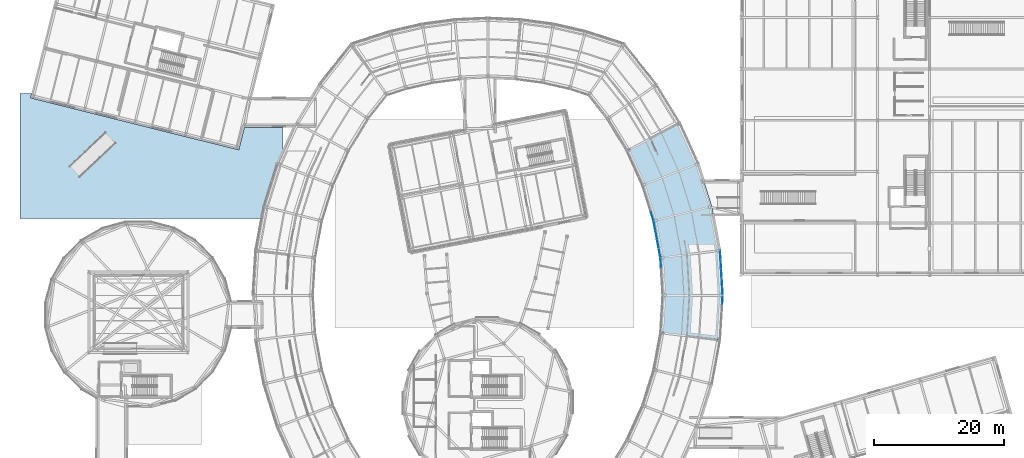
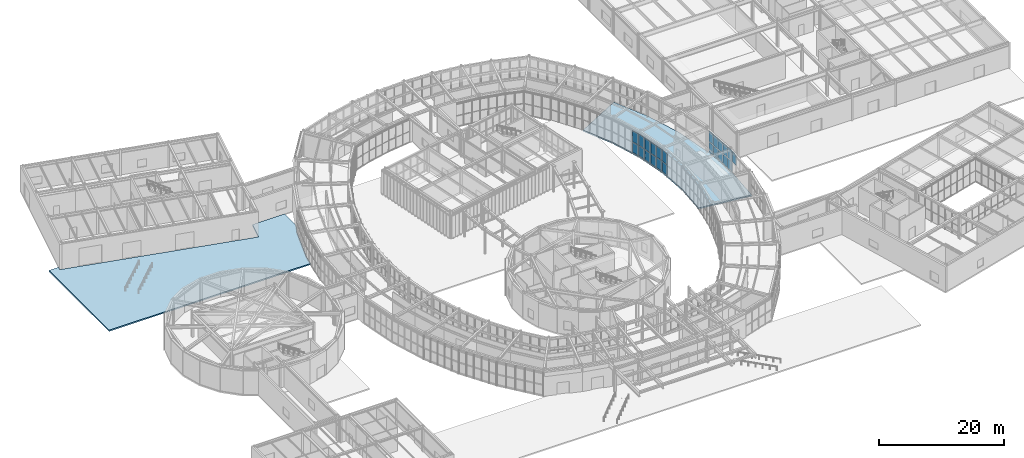
# One storey, part 61 of 97: 23 plates, 2 slabs, 5 elements without a shape of their own.
"""IFC4 building model written with IfcOpenShell, lengths in metres."""

from ifc_helpers import new_model, si_unit, direction, frame, origin, origin_2d, place, context, subcontext, project, spatial, polyline, rectangle, outline, extrude, material, layer, layer_set, type_object, element, aggregate, save


model = new_model("IFC4")

# Units and contexts
model_context = context("Model", 3, precision=1e-05, world=origin(), true_north=direction((0.0, 1.0)))
body_context = subcontext(model_context, "Body", "Model", "MODEL_VIEW")
ifc_project = project(units=[si_unit("LENGTHUNIT", "METRE"), si_unit("AREAUNIT", "SQUARE_METRE"), si_unit("VOLUMEUNIT", "CUBIC_METRE"), si_unit("PLANEANGLEUNIT", "RADIAN"), si_unit("MASSUNIT", "GRAM", prefix="KILO")], contexts=[model_context])

# Site, building, storey
site_placement = place(None, origin())
site = spatial("IfcSite", under=ifc_project, at=site_placement, CompositionType="ELEMENT")
building_placement = place(site_placement, origin())
building = spatial("IfcBuilding", under=site, at=building_placement, Name="Varnklinge Art Gallery", CompositionType="ELEMENT")
storey_placement = place(building_placement, origin())
storey = spatial("IfcBuildingStorey", under=building, at=storey_placement, Name="L00", CompositionType="ELEMENT", Elevation=0.0)

# Curtain wall, plates
ifc_material_1 = material(Name="Anodised Aluminium", Category="aluminium")
curtain_wall_type_1 = type_object("IfcCurtainWallType", Name="CW-R03", PredefinedType="USERDEFINED", material=ifc_material_1)
curtain_wall_1_placement = place(storey_placement, origin())
curtain_wall_1 = element("IfcCurtainWall", 1, at=curtain_wall_1_placement, inside=storey, type_object=curtain_wall_type_1, Name="L00 Curtain Wall CW-V2I-L00-07", ObjectType="UNITISED CURTAIN WALL", PredefinedType="USERDEFINED")
ifc_material_2 = material(Name="Insulated Low-E Triple Glazing", Category="glass")
ifc_layer_1 = layer(ifc_material_2, 0.031982421875)
ifc_layer_set_1 = layer_set([ifc_layer_1], Name="Insulated Low-E Triple Glazing")
plate_type_1 = type_object("IfcPlateType", Name="GLZ-32", PredefinedType="CURTAIN_PANEL", material=ifc_layer_set_1)
plate_1_placement = place(storey_placement, frame((102.08544921875, 60.02197265625, 0.1181640625), z_axis=(0.0, 0.0, 1.0), x_axis=(0.06087433122, -0.9981454382, 0.0)))
plate_1 = element("IfcPlate", 2, at=plate_1_placement, type_object=plate_type_1, Name="CW-V2I-L00-07 Glazing Panel 1.1", PredefinedType="CURTAIN_PANEL", context=body_context, shape_type="SweptSolid", body=[
    extrude(rectangle(XDim=1.355712890625, YDim=0.031982421875, at=origin_2d()), origin(), (0.0, 0.0, 1.0), 1.950439453125),
])
plate_2_placement = place(storey_placement, frame((102.08544921875, 60.02197265625, 2.1845703125), z_axis=(0.0, 0.0, 1.0), x_axis=(0.06087433122, -0.9981454382, 0.0)))
plate_2 = element("IfcPlate", 3, at=plate_2_placement, type_object=plate_type_1, Name="CW-V2I-L00-07 Glazing Panel 1.2", PredefinedType="CURTAIN_PANEL", context=body_context, shape_type="SweptSolid", body=[
    extrude(rectangle(XDim=1.355712890625, YDim=0.031982421875, at=origin_2d()), origin(), (0.0, 0.0, 1.0), 2.127685546875),
])
aggregate(curtain_wall_1, [plate_1, plate_2])

curtain_wall_2_placement = place(storey_placement, origin())
curtain_wall_2 = element("IfcCurtainWall", 4, at=curtain_wall_2_placement, inside=storey, type_object=curtain_wall_type_1, Name="L00 Curtain Wall CW-V2I-L00-08", ObjectType="UNITISED CURTAIN WALL", PredefinedType="USERDEFINED")
plate_3_placement = place(storey_placement, frame((101.126708984375, 65.703857421875, 0.1181640625), z_axis=(0.0, 0.0, 1.0), x_axis=(0.181549039717, -0.983381892338, 0.0)))
plate_3 = element("IfcPlate", 5, at=plate_3_placement, type_object=plate_type_1, Name="CW-V2I-L00-08 Glazing Panel 1.1", PredefinedType="CURTAIN_PANEL", context=body_context, shape_type="SweptSolid", body=[
    extrude(rectangle(XDim=1.355712890625, YDim=0.031982421875, at=origin_2d()), origin(), (0.0, 0.0, 1.0), 1.950439453125),
])
plate_4_placement = place(storey_placement, frame((101.126708984375, 65.703857421875, 2.1845703125), z_axis=(0.0, 0.0, 1.0), x_axis=(0.181549039717, -0.983381892338, 0.0)))
plate_4 = element("IfcPlate", 6, at=plate_4_placement, type_object=plate_type_1, Name="CW-V2I-L00-08 Glazing Panel 1.2", PredefinedType="CURTAIN_PANEL", context=body_context, shape_type="SweptSolid", body=[
    extrude(rectangle(XDim=1.355712890625, YDim=0.031982421875, at=origin_2d()), origin(), (0.0, 0.0, 1.0), 2.127685546875),
])
plate_5_placement = place(storey_placement, frame((101.385986328125, 64.30078125, 0.1181640625), z_axis=(0.0, 0.0, 1.0), x_axis=(0.181549039717, -0.983381892338, 0.0)))
plate_5 = element("IfcPlate", 7, at=plate_5_placement, type_object=plate_type_1, Name="CW-V2I-L00-08 Glazing Panel 2.1", PredefinedType="CURTAIN_PANEL", context=body_context, shape_type="SweptSolid", body=[
    extrude(rectangle(XDim=1.3857421875, YDim=0.031982421875, at=origin_2d()), origin(), (0.0, 0.0, 1.0), 1.950439453125),
])
plate_6_placement = place(storey_placement, frame((101.385986328125, 64.30078125, 2.1845703125), z_axis=(0.0, 0.0, 1.0), x_axis=(0.181549039717, -0.983381892338, 0.0)))
plate_6 = element("IfcPlate", 8, at=plate_6_placement, type_object=plate_type_1, Name="CW-V2I-L00-08 Glazing Panel 2.2", PredefinedType="CURTAIN_PANEL", context=body_context, shape_type="SweptSolid", body=[
    extrude(rectangle(XDim=1.3857421875, YDim=0.031982421875, at=origin_2d()), origin(), (0.0, 0.0, 1.0), 2.127685546875),
])
plate_7_placement = place(storey_placement, frame((101.647705078125, 62.883056640625, 0.1181640625), z_axis=(0.0, 0.0, 1.0), x_axis=(0.181549039717, -0.983381892338, 0.0)))
plate_7 = element("IfcPlate", 9, at=plate_7_placement, type_object=plate_type_1, Name="CW-V2I-L00-08 Glazing Panel 3.1", PredefinedType="CURTAIN_PANEL", context=body_context, shape_type="SweptSolid", body=[
    extrude(rectangle(XDim=1.3857421875, YDim=0.031982421875, at=origin_2d()), origin(), (0.0, 0.0, 1.0), 1.950439453125),
])
plate_8_placement = place(storey_placement, frame((101.647705078125, 62.883056640625, 2.1845703125), z_axis=(0.0, 0.0, 1.0), x_axis=(0.181549039717, -0.983381892338, 0.0)))
plate_8 = element("IfcPlate", 10, at=plate_8_placement, type_object=plate_type_1, Name="CW-V2I-L00-08 Glazing Panel 3.2", PredefinedType="CURTAIN_PANEL", context=body_context, shape_type="SweptSolid", body=[
    extrude(rectangle(XDim=1.3857421875, YDim=0.031982421875, at=origin_2d()), origin(), (0.0, 0.0, 1.0), 2.127685546875),
])
plate_9_placement = place(storey_placement, frame((101.906982421875, 61.47998046875, 0.1181640625), z_axis=(0.0, 0.0, 1.0), x_axis=(0.181549039717, -0.983381892338, 0.0)))
plate_9 = element("IfcPlate", 11, at=plate_9_placement, type_object=plate_type_1, Name="CW-V2I-L00-08 Glazing Panel 4.1", PredefinedType="CURTAIN_PANEL", context=body_context, shape_type="SweptSolid", body=[
    extrude(rectangle(XDim=1.355712890625, YDim=0.031982421875, at=origin_2d()), origin(), (0.0, 0.0, 1.0), 1.950439453125),
])
plate_10_placement = place(storey_placement, frame((101.906982421875, 61.47998046875, 2.1845703125), z_axis=(0.0, 0.0, 1.0), x_axis=(0.181549039717, -0.983381892338, 0.0)))
plate_10 = element("IfcPlate", 12, at=plate_10_placement, type_object=plate_type_1, Name="CW-V2I-L00-08 Glazing Panel 4.2", PredefinedType="CURTAIN_PANEL", context=body_context, shape_type="SweptSolid", body=[
    extrude(rectangle(XDim=1.355712890625, YDim=0.031982421875, at=origin_2d()), origin(), (0.0, 0.0, 1.0), 2.127685546875),
])
aggregate(curtain_wall_2, [plate_3, plate_4, plate_5, plate_6, plate_7, plate_8, plate_9, plate_10])

curtain_wall_3_placement = place(storey_placement, origin())
curtain_wall_3 = element("IfcCurtainWall", 13, at=curtain_wall_3_placement, inside=storey, type_object=curtain_wall_type_1, Name="L00 Curtain Wall CW-V2I-L00-09", ObjectType="UNITISED CURTAIN WALL", PredefinedType="USERDEFINED")
plate_11_placement = place(storey_placement, frame((100.7724609375, 67.129638671875, 0.1181640625), z_axis=(0.0, 0.0, 1.0), x_axis=(0.299706904751, -0.954031326134, 0.0)))
plate_11 = element("IfcPlate", 14, at=plate_11_placement, type_object=plate_type_1, Name="CW-V2I-L00-09 Glazing Panel 4.1", PredefinedType="CURTAIN_PANEL", context=body_context, shape_type="SweptSolid", body=[
    extrude(rectangle(XDim=1.355712890625, YDim=0.031982421875, at=origin_2d()), origin(), (0.0, 0.0, 1.0), 1.950439453125),
])
plate_12_placement = place(storey_placement, frame((100.7724609375, 67.129638671875, 2.1845703125), z_axis=(0.0, 0.0, 1.0), x_axis=(0.299706904751, -0.954031326134, 0.0)))
plate_12 = element("IfcPlate", 15, at=plate_12_placement, type_object=plate_type_1, Name="CW-V2I-L00-09 Glazing Panel 4.2", PredefinedType="CURTAIN_PANEL", context=body_context, shape_type="SweptSolid", body=[
    extrude(rectangle(XDim=1.355712890625, YDim=0.031982421875, at=origin_2d()), origin(), (0.0, 0.0, 1.0), 2.127685546875),
])
aggregate(curtain_wall_3, [plate_11, plate_12])

# Curtain wall, plate
ifc_material_3 = material(Name="Anodised Aluminium", Category="aluminium")
curtain_wall_type_2 = type_object("IfcCurtainWallType", Name="CW-R01", PredefinedType="USERDEFINED", material=ifc_material_3)
curtain_wall_4_placement = place(storey_placement, origin())
curtain_wall_4 = element("IfcCurtainWall", 16, at=curtain_wall_4_placement, inside=storey, type_object=curtain_wall_type_2, Name="L00 Curtain Wall CW-V2O-L00-06", ObjectType="UNITISED CURTAIN WALL", PredefinedType="USERDEFINED")
ifc_material_4 = material(Name="Insulated Low-E Triple Glazing", Category="glass")
ifc_layer_2 = layer(ifc_material_4, 0.0380859375)
ifc_layer_set_2 = layer_set([ifc_layer_2], Name="Insulated Low-E Triple Glazing")
plate_type_2 = type_object("IfcPlateType", Name="GLZ-38", PredefinedType="CURTAIN_PANEL", material=ifc_layer_set_2)
plate_13_placement = place(storey_placement, frame((111.565673828125, 54.296142578125, 2.199462890625), z_axis=(0.0, 0.0, 1.0), x_axis=(0.06087433122, 0.9981454382, 0.0)))
plate_13 = element("IfcPlate", 17, at=plate_13_placement, type_object=plate_type_2, Name="CW-V2O-L00-06 Glazing Panel 5.2", PredefinedType="CURTAIN_PANEL", context=body_context, shape_type="SweptSolid", body=[
    extrude(rectangle(XDim=1.2841796875, YDim=0.0380859375, at=origin_2d()), origin(), (0.0, 0.0, 1.0), 2.08251953125),
])
aggregate(curtain_wall_4, [plate_13])

# Curtain wall, plates
curtain_wall_5_placement = place(storey_placement, origin())
curtain_wall_5 = element("IfcCurtainWall", 18, at=curtain_wall_5_placement, inside=storey, type_object=curtain_wall_type_2, Name="L00 Curtain Wall CW-V2O-L00-07", ObjectType="UNITISED CURTAIN WALL", PredefinedType="USERDEFINED")
plate_14_placement = place(storey_placement, frame((111.565673828125, 55.703857421875, 0.14794921875), z_axis=(0.0, 0.0, 1.0), x_axis=(-0.06087433122, 0.9981454382, 0.0)))
plate_14 = element("IfcPlate", 19, at=plate_14_placement, type_object=plate_type_2, Name="CW-V2O-L00-07 Glazing Panel 1.1", PredefinedType="CURTAIN_PANEL", context=body_context, shape_type="SweptSolid", body=[
    extrude(rectangle(XDim=1.2841796875, YDim=0.0380859375, at=origin_2d()), origin(), (0.0, 0.0, 1.0), 1.905517578125),
])
plate_15_placement = place(storey_placement, frame((111.565673828125, 55.703857421875, 2.199462890625), z_axis=(0.0, 0.0, 1.0), x_axis=(-0.06087433122, 0.9981454382, 0.0)))
plate_15 = element("IfcPlate", 20, at=plate_15_placement, type_object=plate_type_2, Name="CW-V2O-L00-07 Glazing Panel 1.2", PredefinedType="CURTAIN_PANEL", context=body_context, shape_type="SweptSolid", body=[
    extrude(rectangle(XDim=1.2841796875, YDim=0.0380859375, at=origin_2d()), origin(), (0.0, 0.0, 1.0), 2.08251953125),
])
plate_16_placement = place(storey_placement, frame((111.48291015625, 57.062744140625, 0.14794921875), z_axis=(0.0, 0.0, 1.0), x_axis=(-0.06087433122, 0.9981454382, 0.0)))
plate_16 = element("IfcPlate", 21, at=plate_16_placement, type_object=plate_type_2, Name="CW-V2O-L00-07 Glazing Panel 2.1", PredefinedType="CURTAIN_PANEL", context=body_context, shape_type="SweptSolid", body=[
    extrude(rectangle(XDim=1.31689453125, YDim=0.0380859375, at=origin_2d()), origin(), (0.0, 0.0, 1.0), 1.905517578125),
])
plate_17_placement = place(storey_placement, frame((111.48291015625, 57.062744140625, 2.199462890625), z_axis=(0.0, 0.0, 1.0), x_axis=(-0.06087433122, 0.9981454382, 0.0)))
plate_17 = element("IfcPlate", 22, at=plate_17_placement, type_object=plate_type_2, Name="CW-V2O-L00-07 Glazing Panel 2.2", PredefinedType="CURTAIN_PANEL", context=body_context, shape_type="SweptSolid", body=[
    extrude(rectangle(XDim=1.31689453125, YDim=0.0380859375, at=origin_2d()), origin(), (0.0, 0.0, 1.0), 2.08251953125),
])
plate_18_placement = place(storey_placement, frame((111.39892578125, 58.43798828125, 0.14794921875), z_axis=(0.0, 0.0, 1.0), x_axis=(-0.06087433122, 0.9981454382, 0.0)))
plate_18 = element("IfcPlate", 23, at=plate_18_placement, type_object=plate_type_2, Name="CW-V2O-L00-07 Glazing Panel 3.1", PredefinedType="CURTAIN_PANEL", context=body_context, shape_type="SweptSolid", body=[
    extrude(rectangle(XDim=1.31689453125, YDim=0.0380859375, at=origin_2d()), origin(), (0.0, 0.0, 1.0), 1.905517578125),
])
plate_19_placement = place(storey_placement, frame((111.39892578125, 58.43798828125, 2.199462890625), z_axis=(0.0, 0.0, 1.0), x_axis=(-0.06087433122, 0.9981454382, 0.0)))
plate_19 = element("IfcPlate", 24, at=plate_19_placement, type_object=plate_type_2, Name="CW-V2O-L00-07 Glazing Panel 3.2", PredefinedType="CURTAIN_PANEL", context=body_context, shape_type="SweptSolid", body=[
    extrude(rectangle(XDim=1.31689453125, YDim=0.0380859375, at=origin_2d()), origin(), (0.0, 0.0, 1.0), 2.08251953125),
])
plate_20_placement = place(storey_placement, frame((111.315185546875, 59.813232421875, 0.14794921875), z_axis=(0.0, 0.0, 1.0), x_axis=(-0.06087433122, 0.9981454382, 0.0)))
plate_20 = element("IfcPlate", 25, at=plate_20_placement, type_object=plate_type_2, Name="CW-V2O-L00-07 Glazing Panel 4.1", PredefinedType="CURTAIN_PANEL", context=body_context, shape_type="SweptSolid", body=[
    extrude(rectangle(XDim=1.31689453125, YDim=0.0380859375, at=origin_2d()), origin(), (0.0, 0.0, 1.0), 1.905517578125),
])
plate_21_placement = place(storey_placement, frame((111.315185546875, 59.813232421875, 2.199462890625), z_axis=(0.0, 0.0, 1.0), x_axis=(-0.06087433122, 0.9981454382, 0.0)))
plate_21 = element("IfcPlate", 26, at=plate_21_placement, type_object=plate_type_2, Name="CW-V2O-L00-07 Glazing Panel 4.2", PredefinedType="CURTAIN_PANEL", context=body_context, shape_type="SweptSolid", body=[
    extrude(rectangle(XDim=1.31689453125, YDim=0.0380859375, at=origin_2d()), origin(), (0.0, 0.0, 1.0), 2.08251953125),
])
plate_22_placement = place(storey_placement, frame((111.232421875, 61.172119140625, 0.14794921875), z_axis=(0.0, 0.0, 1.0), x_axis=(-0.06087433122, 0.9981454382, 0.0)))
plate_22 = element("IfcPlate", 27, at=plate_22_placement, type_object=plate_type_2, Name="CW-V2O-L00-07 Glazing Panel 5.1", PredefinedType="CURTAIN_PANEL", context=body_context, shape_type="SweptSolid", body=[
    extrude(rectangle(XDim=1.2841796875, YDim=0.0380859375, at=origin_2d()), origin(), (0.0, 0.0, 1.0), 1.905517578125),
])
plate_23_placement = place(storey_placement, frame((111.232421875, 61.172119140625, 2.199462890625), z_axis=(0.0, 0.0, 1.0), x_axis=(-0.06087433122, 0.9981454382, 0.0)))
plate_23 = element("IfcPlate", 28, at=plate_23_placement, type_object=plate_type_2, Name="CW-V2O-L00-07 Glazing Panel 5.2", PredefinedType="CURTAIN_PANEL", context=body_context, shape_type="SweptSolid", body=[
    extrude(rectangle(XDim=1.2841796875, YDim=0.0380859375, at=origin_2d()), origin(), (0.0, 0.0, 1.0), 2.08251953125),
])
aggregate(curtain_wall_5, [plate_14, plate_15, plate_16, plate_17, plate_18, plate_19, plate_20, plate_21, plate_22, plate_23])

# Slabs
ifc_material_5 = material(Name="Concrete C40/50", Category="concrete")
ifc_layer_3 = layer(ifc_material_5, 0.25)
ifc_layer_set_3 = layer_set([ifc_layer_3], Name="Concrete C40/50")
slab_type_1 = type_object("IfcSlabType", Name="SLB-APRON", PredefinedType="FLOOR", material=ifc_layer_set_3)
slab_1_placement = place(storey_placement, frame((0.0, 0.0, -0.25)))
element("IfcSlab", 29, at=slab_1_placement, inside=storey, type_object=slab_type_1, Name="L00 Northwest Art Truck Service Apron", PredefinedType="FLOOR", context=body_context, shape_type="SweptSolid", body=[
    extrude(outline(polyline([(41.06201171875, 68.650146484375), (43.126708984375, 75.22216796875), (44.0, 77.14599609375), (44.0, 80.800048828125), (38.087890625, 80.800048828125), (38.51416015625, 82.5087890625), (37.227783203125, 77.349853515625), (5.2080078125, 85.333251953125), (5.374267578125, 86.0), (3.60009765625, 86.0), (3.60009765625, 66.800048828125), (40.72021484375, 66.800048828125), (41.06201171875, 68.650146484375)])), origin(), (0.0, 0.0, 1.0), 0.25),
])
ifc_material_6 = material(Name="Concrete C35/45", Category="concrete")
ifc_layer_4 = layer(ifc_material_6, 0.25)
ifc_layer_set_4 = layer_set([ifc_layer_4], Name="Concrete C35/45")
slab_type_2 = type_object("IfcSlabType", Name="SLB-F25", PredefinedType="FLOOR", material=ifc_layer_set_4)
slab_2_placement = place(storey_placement, frame((0.0, 0.0, -0.25)))
element("IfcSlab", 30, at=slab_2_placement, inside=storey, type_object=slab_type_2, Name="L00 Curved Gallery Ring Sector 2", PredefinedType="FLOOR", context=body_context, shape_type="SweptSolid", body=[
    extrude(outline(polyline([(111.6083984375, 55.0), (111.189453125, 61.8759765625), (109.93798828125, 68.650146484375), (107.873291015625, 75.22216796875), (105.025390625, 81.494873046875), (96.88037109375, 77.180908203125), (99.264404296875, 71.9296875), (100.9931640625, 66.427490234375), (102.04052734375, 60.75634765625), (102.3916015625, 55.0), (102.04052734375, 49.24365234375), (111.189453125, 48.1240234375), (111.6083984375, 55.0)])), origin(), (0.0, 0.0, 1.0), 0.25),
])

save(model, "model.ifc")
